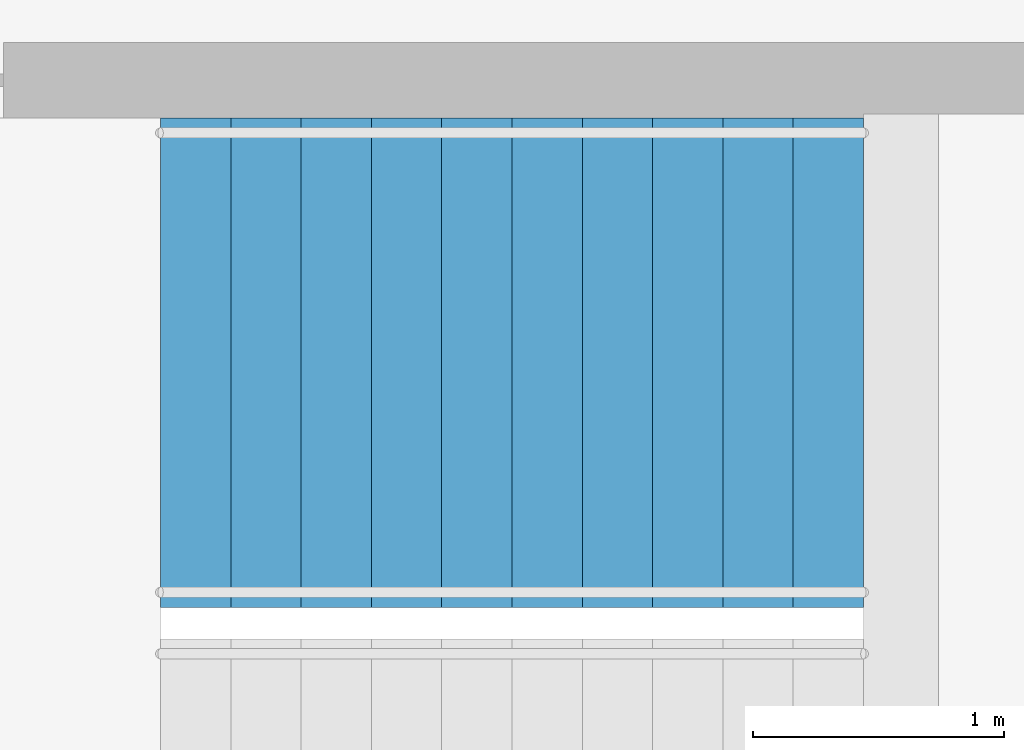
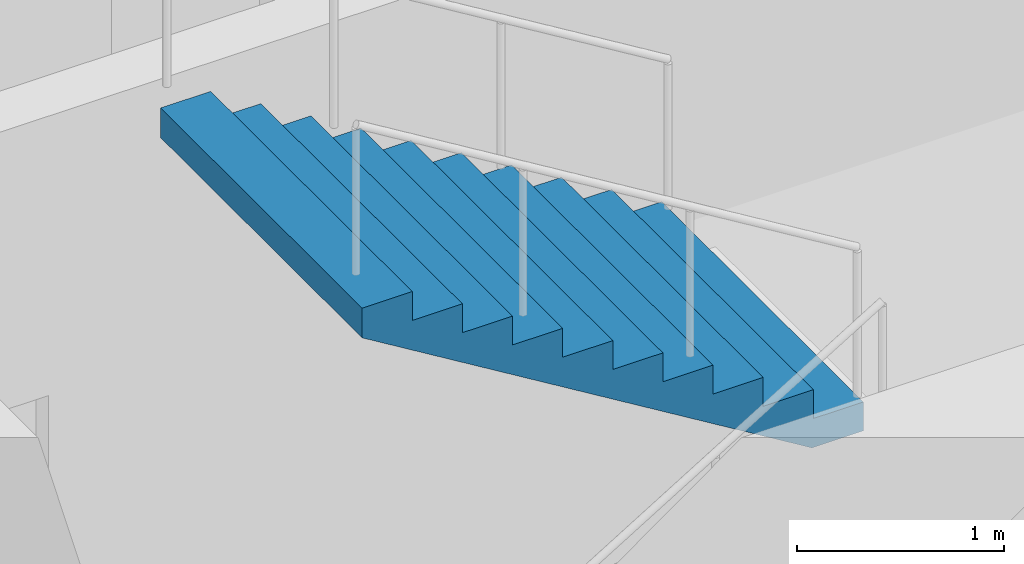
# One storey, part 19 of 22: 1 stair flight, 1 element without a shape of its own.
"""IFC4 building model written with IfcOpenShell, lengths in metres."""

from ifc_helpers import new_model, si_unit, direction, frame, origin, place, context, subcontext, project, spatial, triangles, material, type_object, element, aggregate, save


model = new_model("IFC4")

# Units and contexts
model_context = context("Model", 3, precision=1e-05, world=origin(), true_north=direction((0.0, 1.0)))
body_context = subcontext(model_context, "Body", "Model", "MODEL_VIEW")
ifc_project = project(units=[si_unit("LENGTHUNIT", "METRE"), si_unit("AREAUNIT", "SQUARE_METRE"), si_unit("VOLUMEUNIT", "CUBIC_METRE"), si_unit("PLANEANGLEUNIT", "RADIAN"), si_unit("MASSUNIT", "GRAM", prefix="KILO")], contexts=[model_context])

# Site, building, storey
site_placement = place(None, origin())
site = spatial("IfcSite", under=ifc_project, at=site_placement, CompositionType="ELEMENT")
building_placement = place(site_placement, origin())
building = spatial("IfcBuilding", under=site, at=building_placement, Name="Orbita Commons", CompositionType="ELEMENT")
storey_placement = place(building_placement, frame((0.0, 0.0, 167.35009765625)))
storey = spatial("IfcBuildingStorey", under=building, at=storey_placement, Name="L41", CompositionType="ELEMENT", Elevation=167.35009765625)

# Stair, stair flight
ifc_material_1 = material(Name="Precast concrete C40/50", Category="concrete")
stair_type = type_object("IfcStairType", Name="Exit stair S1 2 flights 11 risers 170", PredefinedType="HALF_TURN_STAIR", material=ifc_material_1)
stair_placement = place(storey_placement, origin())
stair = element("IfcStair", 1, at=stair_placement, inside=storey, type_object=stair_type, Name="Exit stair S1 L41", PredefinedType="HALF_TURN_STAIR")
ifc_material_2 = material(Name="Precast concrete C40/50", Category="concrete")
stair_flight_type = type_object("IfcStairFlightType", Name="Stair flight 11 risers 170 x 280", PredefinedType="STRAIGHT", material=ifc_material_2)
stair_flight_placement = place(storey_placement, frame((23.25, 29.27490234375, 1.875), z_axis=(0.0, 0.0, 1.0), x_axis=(-1.0, 0.0, 0.0)))
stair_flight = element("IfcStairFlight", 2, at=stair_flight_placement, type_object=stair_flight_type, Name="S1 flight 2", NumberOfRisers=11, NumberOfTreads=10, PredefinedType="STRAIGHT", RiserHeight=0.170454545, TreadLength=0.28, context=body_context, shape_type="Tessellation", body=[
    triangles([(0.0, 0.974976, 0.0), (0.0, 0.974976, 0.021307), (0.0, 0.81248, 0.021307), (0.0, 0.81248, 0.0), (0.0, 0.649984, 0.021307), (0.0, 0.649984, 0.0), (0.0, 0.487488, 0.021307), (0.0, 0.487488, 0.0), (0.0, 0.324992, 0.021307), (0.0, 0.324992, 0.0), (0.0, 0.162496, 0.021307), (0.0, 0.162496, 0.0), (0.0, 0.0, 0.021307), (0.0, 0.0, 0.0), (0.0, -0.162496, 0.021307), (0.0, -0.162496, 0.0), (0.0, -0.324992, 0.021307), (0.0, -0.324992, 0.0), (0.0, -0.487488, 0.021307), (0.0, -0.487488, 0.0), (0.0, -0.649984, 0.021307), (0.0, -0.649984, 0.0), (0.0, -0.81248, 0.021307), (0.0, -0.81248, 0.0), (0.0, -0.974976, 0.021307), (0.0, -0.974976, 0.0), (0.0, 0.974976, 0.042614), (0.0, 0.81248, 0.042614), (0.0, 0.649984, 0.042614), (0.0, 0.487488, 0.042614), (0.0, 0.324992, 0.042614), (0.0, 0.162496, 0.042614), (0.0, 0.0, 0.042614), (0.0, -0.162496, 0.042614), (0.0, -0.324992, 0.042614), (0.0, -0.487488, 0.042614), (0.0, -0.649984, 0.042614), (0.0, -0.81248, 0.042614), (0.0, -0.974976, 0.042614), (0.0, 0.974976, 0.06392), (0.0, 0.81248, 0.06392), (0.0, 0.649984, 0.06392), (0.0, 0.487488, 0.06392), (0.0, 0.324992, 0.06392), (0.0, 0.162496, 0.06392), (0.0, 0.0, 0.06392), (0.0, -0.162496, 0.06392), (0.0, -0.324992, 0.06392), (0.0, -0.487488, 0.06392), (0.0, -0.649984, 0.06392), (0.0, -0.81248, 0.06392), (0.0, -0.974976, 0.06392), (0.0, 0.974976, 0.085227), (0.0, 0.81248, 0.085227), (0.0, 0.649984, 0.085227), (0.0, 0.487488, 0.085227), (0.0, 0.324992, 0.085227), (0.0, 0.162496, 0.085227), (0.0, 0.0, 0.085227), (0.0, -0.162496, 0.085227), (0.0, -0.324992, 0.085227), (0.0, -0.487488, 0.085227), (0.0, -0.649984, 0.085227), (0.0, -0.81248, 0.085227), (0.0, -0.974976, 0.085227), (0.0, 0.974976, 0.106534), (0.0, 0.81248, 0.106534), (0.0, 0.649984, 0.106534), (0.0, 0.487488, 0.106534), (0.0, 0.324992, 0.106534), (0.0, 0.162496, 0.106534), (0.0, 0.0, 0.106534), (0.0, -0.162496, 0.106534), (0.0, -0.324992, 0.106534), (0.0, -0.487488, 0.106534), (0.0, -0.649984, 0.106534), (0.0, -0.81248, 0.106534), (0.0, -0.974976, 0.106534), (0.0, 0.974976, 0.127841), (0.0, 0.81248, 0.127841), (0.0, 0.649984, 0.127841), (0.0, 0.487488, 0.127841), (0.0, 0.324992, 0.127841), (0.0, 0.162496, 0.127841), (0.0, 0.0, 0.127841), (0.0, -0.162496, 0.127841), (0.0, -0.324992, 0.127841), (0.0, -0.487488, 0.127841), (0.0, -0.649984, 0.127841), (0.0, -0.81248, 0.127841), (0.0, -0.974976, 0.127841), (0.0, 0.974976, 0.149148), (0.0, 0.81248, 0.149148), (0.0, 0.649984, 0.149148), (0.0, 0.487488, 0.149148), (0.0, 0.324992, 0.149148), (0.0, 0.162496, 0.149148), (0.0, 0.0, 0.149148), (0.0, -0.162496, 0.149148), (0.0, -0.324992, 0.149148), (0.0, -0.487488, 0.149148), (0.0, -0.649984, 0.149148), (0.0, -0.81248, 0.149148), (0.0, -0.974976, 0.149148), (0.0, 0.974976, 0.170455), (0.0, 0.81248, 0.170455), (0.0, 0.649984, 0.170455), (0.0, 0.487488, 0.170455), (0.0, 0.324992, 0.170455), (0.0, 0.162496, 0.170455), (0.0, 0.0, 0.170455), (0.0, -0.162496, 0.170455), (0.0, -0.324992, 0.170455), (0.0, -0.487488, 0.170455), (0.0, -0.649984, 0.170455), (0.0, -0.81248, 0.170455), (0.0, -0.974976, 0.170455), (0.28, 0.974976, 0.170455), (0.28, 0.81248, 0.170455), (0.28, 0.649984, 0.170455), (0.28, 0.487488, 0.170455), (0.28, 0.324992, 0.170455), (0.28, 0.162496, 0.170455), (0.28, 0.0, 0.170455), (0.28, -0.162496, 0.170455), (0.28, -0.324992, 0.170455), (0.28, -0.487488, 0.170455), (0.28, -0.649984, 0.170455), (0.28, -0.81248, 0.170455), (0.28, -0.974976, 0.170455), (0.28, 0.974976, 0.340909), (0.28, 0.81248, 0.340909), (0.28, 0.649984, 0.340909), (0.28, 0.487488, 0.340909), (0.28, 0.324992, 0.340909), (0.28, 0.162496, 0.340909), (0.28, 0.0, 0.340909), (0.28, -0.162496, 0.340909), (0.28, -0.324992, 0.340909), (0.28, -0.487488, 0.340909), (0.28, -0.649984, 0.340909), (0.28, -0.81248, 0.340909), (0.28, -0.974976, 0.340909), (0.56, 0.974976, 0.340909), (0.56, 0.81248, 0.340909), (0.56, 0.649984, 0.340909), (0.56, 0.487488, 0.340909), (0.56, 0.324992, 0.340909), (0.56, 0.162496, 0.340909), (0.56, 0.0, 0.340909), (0.56, -0.162496, 0.340909), (0.56, -0.324992, 0.340909), (0.56, -0.487488, 0.340909), (0.56, -0.649984, 0.340909), (0.56, -0.81248, 0.340909), (0.56, -0.974976, 0.340909), (0.56, 0.974976, 0.511364), (0.56, 0.81248, 0.511364), (0.56, 0.649984, 0.511364), (0.56, 0.487488, 0.511364), (0.56, 0.324992, 0.511364), (0.56, 0.162496, 0.511364), (0.56, 0.0, 0.511364), (0.56, -0.162496, 0.511364), (0.56, -0.324992, 0.511364), (0.56, -0.487488, 0.511364), (0.56, -0.649984, 0.511364), (0.56, -0.81248, 0.511364), (0.56, -0.974976, 0.511364), (0.84, 0.974976, 0.511364), (0.84, 0.81248, 0.511364), (0.84, 0.649984, 0.511364), (0.84, 0.487488, 0.511364), (0.84, 0.324992, 0.511364), (0.84, 0.162496, 0.511364), (0.84, 0.0, 0.511364), (0.84, -0.162496, 0.511364), (0.84, -0.324992, 0.511364), (0.84, -0.487488, 0.511364), (0.84, -0.649984, 0.511364), (0.84, -0.81248, 0.511364), (0.84, -0.974976, 0.511364), (0.84, 0.974976, 0.681818), (0.84, 0.81248, 0.681818), (0.84, 0.649984, 0.681818), (0.84, 0.487488, 0.681818), (0.84, 0.324992, 0.681818), (0.84, 0.162496, 0.681818), (0.84, 0.0, 0.681818), (0.84, -0.162496, 0.681818), (0.84, -0.324992, 0.681818), (0.84, -0.487488, 0.681818), (0.84, -0.649984, 0.681818), (0.84, -0.81248, 0.681818), (0.84, -0.974976, 0.681818), (1.12, 0.974976, 0.681818), (1.12, 0.81248, 0.681818), (1.12, 0.649984, 0.681818), (1.12, 0.487488, 0.681818), (1.12, 0.324992, 0.681818), (1.12, 0.162496, 0.681818), (1.12, 0.0, 0.681818), (1.12, -0.162496, 0.681818), (1.12, -0.324992, 0.681818), (1.12, -0.487488, 0.681818), (1.12, -0.649984, 0.681818), (1.12, -0.81248, 0.681818), (1.12, -0.974976, 0.681818), (1.12, 0.974976, 0.852273), (1.12, 0.81248, 0.852273), (1.12, 0.649984, 0.852273), (1.12, 0.487488, 0.852273), (1.12, 0.324992, 0.852273), (1.12, 0.162496, 0.852273), (1.12, 0.0, 0.852273), (1.12, -0.162496, 0.852273), (1.12, -0.324992, 0.852273), (1.12, -0.487488, 0.852273), (1.12, -0.649984, 0.852273), (1.12, -0.81248, 0.852273), (1.12, -0.974976, 0.852273), (1.4, 0.974976, 0.852273), (1.4, 0.81248, 0.852273), (1.4, 0.649984, 0.852273), (1.4, 0.487488, 0.852273), (1.4, 0.324992, 0.852273), (1.4, 0.162496, 0.852273), (1.4, 0.0, 0.852273), (1.4, -0.162496, 0.852273), (1.4, -0.324992, 0.852273), (1.4, -0.487488, 0.852273), (1.4, -0.649984, 0.852273), (1.4, -0.81248, 0.852273), (1.4, -0.974976, 0.852273), (1.4, 0.974976, 1.022727), (1.4, 0.81248, 1.022727), (1.4, 0.649984, 1.022727), (1.4, 0.487488, 1.022727), (1.4, 0.324992, 1.022727), (1.4, 0.162496, 1.022727), (1.4, 0.0, 1.022727), (1.4, -0.162496, 1.022727), (1.4, -0.324992, 1.022727), (1.4, -0.487488, 1.022727), (1.4, -0.649984, 1.022727), (1.4, -0.81248, 1.022727), (1.4, -0.974976, 1.022727), (1.68, 0.974976, 1.022727), (1.68, 0.81248, 1.022727), (1.68, 0.649984, 1.022727), (1.68, 0.487488, 1.022727), (1.68, 0.324992, 1.022727), (1.68, 0.162496, 1.022727), (1.68, 0.0, 1.022727), (1.68, -0.162496, 1.022727), (1.68, -0.324992, 1.022727), (1.68, -0.487488, 1.022727), (1.68, -0.649984, 1.022727), (1.68, -0.81248, 1.022727), (1.68, -0.974976, 1.022727), (1.68, 0.974976, 1.193182), (1.68, 0.81248, 1.193182), (1.68, 0.649984, 1.193182), (1.68, 0.487488, 1.193182), (1.68, 0.324992, 1.193182), (1.68, 0.162496, 1.193182), (1.68, 0.0, 1.193182), (1.68, -0.162496, 1.193182), (1.68, -0.324992, 1.193182), (1.68, -0.487488, 1.193182), (1.68, -0.649984, 1.193182), (1.68, -0.81248, 1.193182), (1.68, -0.974976, 1.193182), (1.96, 0.974976, 1.193182), (1.96, 0.81248, 1.193182), (1.96, 0.649984, 1.193182), (1.96, 0.487488, 1.193182), (1.96, 0.324992, 1.193182), (1.96, 0.162496, 1.193182), (1.96, 0.0, 1.193182), (1.96, -0.162496, 1.193182), (1.96, -0.324992, 1.193182), (1.96, -0.487488, 1.193182), (1.96, -0.649984, 1.193182), (1.96, -0.81248, 1.193182), (1.96, -0.974976, 1.193182), (1.96, 0.974976, 1.363636), (1.96, 0.81248, 1.363636), (1.96, 0.649984, 1.363636), (1.96, 0.487488, 1.363636), (1.96, 0.324992, 1.363636), (1.96, 0.162496, 1.363636), (1.96, 0.0, 1.363636), (1.96, -0.162496, 1.363636), (1.96, -0.324992, 1.363636), (1.96, -0.487488, 1.363636), (1.96, -0.649984, 1.363636), (1.96, -0.81248, 1.363636), (1.96, -0.974976, 1.363636), (2.24, 0.974976, 1.363636), (2.24, 0.81248, 1.363636), (2.24, 0.649984, 1.363636), (2.24, 0.487488, 1.363636), (2.24, 0.324992, 1.363636), (2.24, 0.162496, 1.363636), (2.24, 0.0, 1.363636), (2.24, -0.162496, 1.363636), (2.24, -0.324992, 1.363636), (2.24, -0.487488, 1.363636), (2.24, -0.649984, 1.363636), (2.24, -0.81248, 1.363636), (2.24, -0.974976, 1.363636), (2.24, 0.974976, 1.534091), (2.24, 0.81248, 1.534091), (2.24, 0.649984, 1.534091), (2.24, 0.487488, 1.534091), (2.24, 0.324992, 1.534091), (2.24, 0.162496, 1.534091), (2.24, 0.0, 1.534091), (2.24, -0.162496, 1.534091), (2.24, -0.324992, 1.534091), (2.24, -0.487488, 1.534091), (2.24, -0.649984, 1.534091), (2.24, -0.81248, 1.534091), (2.24, -0.974976, 1.534091), (2.52, 0.974976, 1.534091), (2.52, 0.81248, 1.534091), (2.52, 0.649984, 1.534091), (2.52, 0.487488, 1.534091), (2.52, 0.324992, 1.534091), (2.52, 0.162496, 1.534091), (2.52, 0.0, 1.534091), (2.52, -0.162496, 1.534091), (2.52, -0.324992, 1.534091), (2.52, -0.487488, 1.534091), (2.52, -0.649984, 1.534091), (2.52, -0.81248, 1.534091), (2.52, -0.974976, 1.534091), (2.52, 0.974976, 1.704545), (2.52, 0.81248, 1.704545), (2.52, 0.649984, 1.704545), (2.52, 0.487488, 1.704545), (2.52, 0.324992, 1.704545), (2.52, 0.162496, 1.704545), (2.52, 0.0, 1.704545), (2.52, -0.162496, 1.704545), (2.52, -0.324992, 1.704545), (2.52, -0.487488, 1.704545), (2.52, -0.649984, 1.704545), (2.52, -0.81248, 1.704545), (2.52, -0.974976, 1.704545), (2.8, 0.974976, 1.704545), (2.8, 0.81248, 1.704545), (2.8, 0.649984, 1.704545), (2.8, 0.487488, 1.704545), (2.8, 0.324992, 1.704545), (2.8, 0.162496, 1.704545), (2.8, 0.0, 1.704545), (2.8, -0.162496, 1.704545), (2.8, -0.324992, 1.704545), (2.8, -0.487488, 1.704545), (2.8, -0.649984, 1.704545), (2.8, -0.81248, 1.704545), (2.8, -0.974976, 1.704545), (2.8, 0.974976, 1.682609), (2.8, 0.81248, 1.682609), (2.8, 0.649984, 1.682609), (2.8, 0.487488, 1.682609), (2.8, 0.324992, 1.682609), (2.8, 0.162496, 1.682609), (2.8, 0.0, 1.682609), (2.8, -0.162496, 1.682609), (2.8, -0.324992, 1.682609), (2.8, -0.487488, 1.682609), (2.8, -0.649984, 1.682609), (2.8, -0.81248, 1.682609), (2.8, -0.974976, 1.682609), (2.8, 0.974976, 1.660672), (2.8, 0.81248, 1.660672), (2.8, 0.649984, 1.660672), (2.8, 0.487488, 1.660672), (2.8, 0.324992, 1.660672), (2.8, 0.162496, 1.660672), (2.8, 0.0, 1.660672), (2.8, -0.162496, 1.660672), (2.8, -0.324992, 1.660672), (2.8, -0.487488, 1.660672), (2.8, -0.649984, 1.660672), (2.8, -0.81248, 1.660672), (2.8, -0.974976, 1.660672), (2.8, 0.974976, 1.638735), (2.8, 0.81248, 1.638735), (2.8, 0.649984, 1.638735), (2.8, 0.487488, 1.638735), (2.8, 0.324992, 1.638735), (2.8, 0.162496, 1.638735), (2.8, 0.0, 1.638735), (2.8, -0.162496, 1.638735), (2.8, -0.324992, 1.638735), (2.8, -0.487488, 1.638735), (2.8, -0.649984, 1.638735), (2.8, -0.81248, 1.638735), (2.8, -0.974976, 1.638735), (2.8, 0.974976, 1.616798), (2.8, 0.81248, 1.616798), (2.8, 0.649984, 1.616798), (2.8, 0.487488, 1.616798), (2.8, 0.324992, 1.616798), (2.8, 0.162496, 1.616798), (2.8, 0.0, 1.616798), (2.8, -0.162496, 1.616798), (2.8, -0.324992, 1.616798), (2.8, -0.487488, 1.616798), (2.8, -0.649984, 1.616798), (2.8, -0.81248, 1.616798), (2.8, -0.974976, 1.616798), (2.8, 0.974976, 1.594861), (2.8, 0.81248, 1.594861), (2.8, 0.649984, 1.594861), (2.8, 0.487488, 1.594861), (2.8, 0.324992, 1.594861), (2.8, 0.162496, 1.594861), (2.8, 0.0, 1.594861), (2.8, -0.162496, 1.594861), (2.8, -0.324992, 1.594861), (2.8, -0.487488, 1.594861), (2.8, -0.649984, 1.594861), (2.8, -0.81248, 1.594861), (2.8, -0.974976, 1.594861), (2.8, 0.974976, 1.572925), (2.8, 0.81248, 1.572925), (2.8, 0.649984, 1.572925), (2.8, 0.487488, 1.572925), (2.8, 0.324992, 1.572925), (2.8, 0.162496, 1.572925), (2.8, 0.0, 1.572925), (2.8, -0.162496, 1.572925), (2.8, -0.324992, 1.572925), (2.8, -0.487488, 1.572925), (2.8, -0.649984, 1.572925), (2.8, -0.81248, 1.572925), (2.8, -0.974976, 1.572925), (2.8, 0.974976, 1.550988), (2.8, 0.81248, 1.550988), (2.8, 0.649984, 1.550988), (2.8, 0.487488, 1.550988), (2.8, 0.324992, 1.550988), (2.8, 0.162496, 1.550988), (2.8, 0.0, 1.550988), (2.8, -0.162496, 1.550988), (2.8, -0.324992, 1.550988), (2.8, -0.487488, 1.550988), (2.8, -0.649984, 1.550988), (2.8, -0.81248, 1.550988), (2.8, -0.974976, 1.550988), (2.8, 0.974976, 1.529051), (2.8, 0.81248, 1.529051), (2.8, 0.649984, 1.529051), (2.8, 0.487488, 1.529051), (2.8, 0.324992, 1.529051), (2.8, 0.162496, 1.529051), (2.8, 0.0, 1.529051), (2.8, -0.162496, 1.529051), (2.8, -0.324992, 1.529051), (2.8, -0.487488, 1.529051), (2.8, -0.649984, 1.529051), (2.8, -0.81248, 1.529051), (2.8, -0.974976, 1.529051), (0.288279, 0.974976, 0.0), (0.288279, 0.81248, 0.0), (0.288279, 0.649984, 0.0), (0.288279, 0.487488, 0.0), (0.288279, 0.324992, 0.0), (0.288279, 0.162496, 0.0), (0.288279, 0.0, 0.0), (0.288279, -0.162496, 0.0), (0.288279, -0.324992, 0.0), (0.288279, -0.487488, 0.0), (0.288279, -0.649984, 0.0), (0.288279, -0.81248, 0.0), (0.288279, -0.974976, 0.0)], [[3, 2, 1], [4, 3, 1], [5, 3, 4], [6, 5, 4], [7, 5, 6], [8, 7, 6], [9, 7, 8], [10, 9, 8], [11, 9, 10], [12, 11, 10], [13, 11, 12], [14, 13, 12], [15, 13, 14], [16, 15, 14], [17, 15, 16], [18, 17, 16], [19, 17, 18], [20, 19, 18], [21, 19, 20], [22, 21, 20], [23, 21, 22], [24, 23, 22], [25, 23, 24], [26, 25, 24], [28, 27, 2], [3, 28, 2], [29, 28, 3], [5, 29, 3], [30, 29, 5], [7, 30, 5], [31, 30, 7], [9, 31, 7], [32, 31, 9], [11, 32, 9], [33, 32, 11], [13, 33, 11], [34, 33, 13], [15, 34, 13], [35, 34, 15], [17, 35, 15], [36, 35, 17], [19, 36, 17], [37, 36, 19], [21, 37, 19], [38, 37, 21], [23, 38, 21], [39, 38, 23], [25, 39, 23], [41, 40, 27], [28, 41, 27], [42, 41, 28], [29, 42, 28], [43, 42, 29], [30, 43, 29], [44, 43, 30], [31, 44, 30], [45, 44, 31], [32, 45, 31], [46, 45, 32], [33, 46, 32], [47, 46, 33], [34, 47, 33], [48, 47, 34], [35, 48, 34], [49, 48, 35], [36, 49, 35], [50, 49, 36], [37, 50, 36], [51, 50, 37], [38, 51, 37], [52, 51, 38], [39, 52, 38], [54, 53, 40], [41, 54, 40], [55, 54, 41], [42, 55, 41], [56, 55, 42], [43, 56, 42], [57, 56, 43], [44, 57, 43], [58, 57, 44], [45, 58, 44], [59, 58, 45], [46, 59, 45], [60, 59, 46], [47, 60, 46], [61, 60, 47], [48, 61, 47], [62, 61, 48], [49, 62, 48], [63, 62, 49], [50, 63, 49], [64, 63, 50], [51, 64, 50], [65, 64, 51], [52, 65, 51], [67, 66, 53], [54, 67, 53], [68, 67, 54], [55, 68, 54], [69, 68, 55], [56, 69, 55], [70, 69, 56], [57, 70, 56], [71, 70, 57], [58, 71, 57], [72, 71, 58], [59, 72, 58], [73, 72, 59], [60, 73, 59], [74, 73, 60], [61, 74, 60], [75, 74, 61], [62, 75, 61], [76, 75, 62], [63, 76, 62], [77, 76, 63], [64, 77, 63], [78, 77, 64], [65, 78, 64], [80, 79, 66], [67, 80, 66], [81, 80, 67], [68, 81, 67], [82, 81, 68], [69, 82, 68], [83, 82, 69], [70, 83, 69], [84, 83, 70], [71, 84, 70], [85, 84, 71], [72, 85, 71], [86, 85, 72], [73, 86, 72], [87, 86, 73], [74, 87, 73], [88, 87, 74], [75, 88, 74], [89, 88, 75], [76, 89, 75], [90, 89, 76], [77, 90, 76], [91, 90, 77], [78, 91, 77], [93, 92, 79], [80, 93, 79], [94, 93, 80], [81, 94, 80], [95, 94, 81], [82, 95, 81], [96, 95, 82], [83, 96, 82], [97, 96, 83], [84, 97, 83], [98, 97, 84], [85, 98, 84], [99, 98, 85], [86, 99, 85], [100, 99, 86], [87, 100, 86], [101, 100, 87], [88, 101, 87], [102, 101, 88], [89, 102, 88], [103, 102, 89], [90, 103, 89], [104, 103, 90], [91, 104, 90], [106, 105, 92], [93, 106, 92], [107, 106, 93], [94, 107, 93], [108, 107, 94], [95, 108, 94], [109, 108, 95], [96, 109, 95], [110, 109, 96], [97, 110, 96], [111, 110, 97], [98, 111, 97], [112, 111, 98], [99, 112, 98], [113, 112, 99], [100, 113, 99], [114, 113, 100], [101, 114, 100], [115, 114, 101], [102, 115, 101], [116, 115, 102], [103, 116, 102], [117, 116, 103], [104, 117, 103], [119, 118, 105], [106, 119, 105], [120, 119, 106], [107, 120, 106], [121, 120, 107], [108, 121, 107], [122, 121, 108], [109, 122, 108], [123, 122, 109], [110, 123, 109], [124, 123, 110], [111, 124, 110], [125, 124, 111], [112, 125, 111], [126, 125, 112], [113, 126, 112], [127, 126, 113], [114, 127, 113], [128, 127, 114], [115, 128, 114], [129, 128, 115], [116, 129, 115], [130, 129, 116], [117, 130, 116], [132, 131, 118], [119, 132, 118], [133, 132, 119], [120, 133, 119], [134, 133, 120], [121, 134, 120], [135, 134, 121], [122, 135, 121], [136, 135, 122], [123, 136, 122], [137, 136, 123], [124, 137, 123], [138, 137, 124], [125, 138, 124], [139, 138, 125], [126, 139, 125], [140, 139, 126], [127, 140, 126], [141, 140, 127], [128, 141, 127], [142, 141, 128], [129, 142, 128], [143, 142, 129], [130, 143, 129], [145, 144, 131], [132, 145, 131], [146, 145, 132], [133, 146, 132], [147, 146, 133], [134, 147, 133], [148, 147, 134], [135, 148, 134], [149, 148, 135], [136, 149, 135], [150, 149, 136], [137, 150, 136], [151, 150, 137], [138, 151, 137], [152, 151, 138], [139, 152, 138], [153, 152, 139], [140, 153, 139], [154, 153, 140], [141, 154, 140], [155, 154, 141], [142, 155, 141], [156, 155, 142], [143, 156, 142], [158, 157, 144], [145, 158, 144], [159, 158, 145], [146, 159, 145], [160, 159, 146], [147, 160, 146], [161, 160, 147], [148, 161, 147], [162, 161, 148], [149, 162, 148], [163, 162, 149], [150, 163, 149], [164, 163, 150], [151, 164, 150], [165, 164, 151], [152, 165, 151], [166, 165, 152], [153, 166, 152], [167, 166, 153], [154, 167, 153], [168, 167, 154], [155, 168, 154], [169, 168, 155], [156, 169, 155], [171, 170, 157], [158, 171, 157], [172, 171, 158], [159, 172, 158], [173, 172, 159], [160, 173, 159], [174, 173, 160], [161, 174, 160], [175, 174, 161], [162, 175, 161], [176, 175, 162], [163, 176, 162], [177, 176, 163], [164, 177, 163], [178, 177, 164], [165, 178, 164], [179, 178, 165], [166, 179, 165], [180, 179, 166], [167, 180, 166], [181, 180, 167], [168, 181, 167], [182, 181, 168], [169, 182, 168], [184, 183, 170], [171, 184, 170], [185, 184, 171], [172, 185, 171], [186, 185, 172], [173, 186, 172], [187, 186, 173], [174, 187, 173], [188, 187, 174], [175, 188, 174], [189, 188, 175], [176, 189, 175], [190, 189, 176], [177, 190, 176], [191, 190, 177], [178, 191, 177], [192, 191, 178], [179, 192, 178], [193, 192, 179], [180, 193, 179], [194, 193, 180], [181, 194, 180], [195, 194, 181], [182, 195, 181], [197, 196, 183], [184, 197, 183], [198, 197, 184], [185, 198, 184], [199, 198, 185], [186, 199, 185], [200, 199, 186], [187, 200, 186], [201, 200, 187], [188, 201, 187], [202, 201, 188], [189, 202, 188], [203, 202, 189], [190, 203, 189], [204, 203, 190], [191, 204, 190], [205, 204, 191], [192, 205, 191], [206, 205, 192], [193, 206, 192], [207, 206, 193], [194, 207, 193], [208, 207, 194], [195, 208, 194], [210, 209, 196], [197, 210, 196], [211, 210, 197], [198, 211, 197], [212, 211, 198], [199, 212, 198], [213, 212, 199], [200, 213, 199], [214, 213, 200], [201, 214, 200], [215, 214, 201], [202, 215, 201], [216, 215, 202], [203, 216, 202], [217, 216, 203], [204, 217, 203], [218, 217, 204], [205, 218, 204], [219, 218, 205], [206, 219, 205], [220, 219, 206], [207, 220, 206], [221, 220, 207], [208, 221, 207], [223, 222, 209], [210, 223, 209], [224, 223, 210], [211, 224, 210], [225, 224, 211], [212, 225, 211], [226, 225, 212], [213, 226, 212], [227, 226, 213], [214, 227, 213], [228, 227, 214], [215, 228, 214], [229, 228, 215], [216, 229, 215], [230, 229, 216], [217, 230, 216], [231, 230, 217], [218, 231, 217], [232, 231, 218], [219, 232, 218], [233, 232, 219], [220, 233, 219], [234, 233, 220], [221, 234, 220], [236, 235, 222], [223, 236, 222], [237, 236, 223], [224, 237, 223], [238, 237, 224], [225, 238, 224], [239, 238, 225], [226, 239, 225], [240, 239, 226], [227, 240, 226], [241, 240, 227], [228, 241, 227], [242, 241, 228], [229, 242, 228], [243, 242, 229], [230, 243, 229], [244, 243, 230], [231, 244, 230], [245, 244, 231], [232, 245, 231], [246, 245, 232], [233, 246, 232], [247, 246, 233], [234, 247, 233], [249, 248, 235], [236, 249, 235], [250, 249, 236], [237, 250, 236], [251, 250, 237], [238, 251, 237], [252, 251, 238], [239, 252, 238], [253, 252, 239], [240, 253, 239], [254, 253, 240], [241, 254, 240], [255, 254, 241], [242, 255, 241], [256, 255, 242], [243, 256, 242], [257, 256, 243], [244, 257, 243], [258, 257, 244], [245, 258, 244], [259, 258, 245], [246, 259, 245], [260, 259, 246], [247, 260, 246], [262, 261, 248], [249, 262, 248], [263, 262, 249], [250, 263, 249], [264, 263, 250], [251, 264, 250], [265, 264, 251], [252, 265, 251], [266, 265, 252], [253, 266, 252], [267, 266, 253], [254, 267, 253], [268, 267, 254], [255, 268, 254], [269, 268, 255], [256, 269, 255], [270, 269, 256], [257, 270, 256], [271, 270, 257], [258, 271, 257], [272, 271, 258], [259, 272, 258], [273, 272, 259], [260, 273, 259], [275, 274, 261], [262, 275, 261], [276, 275, 262], [263, 276, 262], [277, 276, 263], [264, 277, 263], [278, 277, 264], [265, 278, 264], [279, 278, 265], [266, 279, 265], [280, 279, 266], [267, 280, 266], [281, 280, 267], [268, 281, 267], [282, 281, 268], [269, 282, 268], [283, 282, 269], [270, 283, 269], [284, 283, 270], [271, 284, 270], [285, 284, 271], [272, 285, 271], [286, 285, 272], [273, 286, 272], [288, 287, 274], [275, 288, 274], [289, 288, 275], [276, 289, 275], [290, 289, 276], [277, 290, 276], [291, 290, 277], [278, 291, 277], [292, 291, 278], [279, 292, 278], [293, 292, 279], [280, 293, 279], [294, 293, 280], [281, 294, 280], [295, 294, 281], [282, 295, 281], [296, 295, 282], [283, 296, 282], [297, 296, 283], [284, 297, 283], [298, 297, 284], [285, 298, 284], [299, 298, 285], [286, 299, 285], [301, 300, 287], [288, 301, 287], [302, 301, 288], [289, 302, 288], [303, 302, 289], [290, 303, 289], [304, 303, 290], [291, 304, 290], [305, 304, 291], [292, 305, 291], [306, 305, 292], [293, 306, 292], [307, 306, 293], [294, 307, 293], [308, 307, 294], [295, 308, 294], [309, 308, 295], [296, 309, 295], [310, 309, 296], [297, 310, 296], [311, 310, 297], [298, 311, 297], [312, 311, 298], [299, 312, 298], [314, 313, 300], [301, 314, 300], [315, 314, 301], [302, 315, 301], [316, 315, 302], [303, 316, 302], [317, 316, 303], [304, 317, 303], [318, 317, 304], [305, 318, 304], [319, 318, 305], [306, 319, 305], [320, 319, 306], [307, 320, 306], [321, 320, 307], [308, 321, 307], [322, 321, 308], [309, 322, 308], [323, 322, 309], [310, 323, 309], [324, 323, 310], [311, 324, 310], [325, 324, 311], [312, 325, 311], [327, 326, 313], [314, 327, 313], [328, 327, 314], [315, 328, 314], [329, 328, 315], [316, 329, 315], [330, 329, 316], [317, 330, 316], [331, 330, 317], [318, 331, 317], [332, 331, 318], [319, 332, 318], [333, 332, 319], [320, 333, 319], [334, 333, 320], [321, 334, 320], [335, 334, 321], [322, 335, 321], [336, 335, 322], [323, 336, 322], [337, 336, 323], [324, 337, 323], [338, 337, 324], [325, 338, 324], [340, 339, 326], [327, 340, 326], [341, 340, 327], [328, 341, 327], [342, 341, 328], [329, 342, 328], [343, 342, 329], [330, 343, 329], [344, 343, 330], [331, 344, 330], [345, 344, 331], [332, 345, 331], [346, 345, 332], [333, 346, 332], [347, 346, 333], [334, 347, 333], [348, 347, 334], [335, 348, 334], [349, 348, 335], [336, 349, 335], [350, 349, 336], [337, 350, 336], [351, 350, 337], [338, 351, 337], [353, 352, 339], [340, 353, 339], [354, 353, 340], [341, 354, 340], [355, 354, 341], [342, 355, 341], [356, 355, 342], [343, 356, 342], [357, 356, 343], [344, 357, 343], [358, 357, 344], [345, 358, 344], [359, 358, 345], [346, 359, 345], [360, 359, 346], [347, 360, 346], [361, 360, 347], [348, 361, 347], [362, 361, 348], [349, 362, 348], [363, 362, 349], [350, 363, 349], [364, 363, 350], [351, 364, 350], [366, 365, 352], [353, 366, 352], [367, 366, 353], [354, 367, 353], [368, 367, 354], [355, 368, 354], [369, 368, 355], [356, 369, 355], [370, 369, 356], [357, 370, 356], [371, 370, 357], [358, 371, 357], [372, 371, 358], [359, 372, 358], [373, 372, 359], [360, 373, 359], [374, 373, 360], [361, 374, 360], [375, 374, 361], [362, 375, 361], [376, 375, 362], [363, 376, 362], [377, 376, 363], [364, 377, 363], [379, 378, 365], [366, 379, 365], [380, 379, 366], [367, 380, 366], [381, 380, 367], [368, 381, 367], [382, 381, 368], [369, 382, 368], [383, 382, 369], [370, 383, 369], [384, 383, 370], [371, 384, 370], [385, 384, 371], [372, 385, 371], [386, 385, 372], [373, 386, 372], [387, 386, 373], [374, 387, 373], [388, 387, 374], [375, 388, 374], [389, 388, 375], [376, 389, 375], [390, 389, 376], [377, 390, 376], [392, 391, 378], [379, 392, 378], [393, 392, 379], [380, 393, 379], [394, 393, 380], [381, 394, 380], [395, 394, 381], [382, 395, 381], [396, 395, 382], [383, 396, 382], [397, 396, 383], [384, 397, 383], [398, 397, 384], [385, 398, 384], [399, 398, 385], [386, 399, 385], [400, 399, 386], [387, 400, 386], [401, 400, 387], [388, 401, 387], [402, 401, 388], [389, 402, 388], [403, 402, 389], [390, 403, 389], [405, 404, 391], [392, 405, 391], [406, 405, 392], [393, 406, 392], [407, 406, 393], [394, 407, 393], [408, 407, 394], [395, 408, 394], [409, 408, 395], [396, 409, 395], [410, 409, 396], [397, 410, 396], [411, 410, 397], [398, 411, 397], [412, 411, 398], [399, 412, 398], [413, 412, 399], [400, 413, 399], [414, 413, 400], [401, 414, 400], [415, 414, 401], [402, 415, 401], [416, 415, 402], [403, 416, 402], [418, 417, 404], [405, 418, 404], [419, 418, 405], [406, 419, 405], [420, 419, 406], [407, 420, 406], [421, 420, 407], [408, 421, 407], [422, 421, 408], [409, 422, 408], [423, 422, 409], [410, 423, 409], [424, 423, 410], [411, 424, 410], [425, 424, 411], [412, 425, 411], [426, 425, 412], [413, 426, 412], [427, 426, 413], [414, 427, 413], [428, 427, 414], [415, 428, 414], [429, 428, 415], [416, 429, 415], [431, 430, 417], [418, 431, 417], [432, 431, 418], [419, 432, 418], [433, 432, 419], [420, 433, 419], [434, 433, 420], [421, 434, 420], [435, 434, 421], [422, 435, 421], [436, 435, 422], [423, 436, 422], [437, 436, 423], [424, 437, 423], [438, 437, 424], [425, 438, 424], [439, 438, 425], [426, 439, 425], [440, 439, 426], [427, 440, 426], [441, 440, 427], [428, 441, 427], [442, 441, 428], [429, 442, 428], [444, 443, 430], [431, 444, 430], [445, 444, 431], [432, 445, 431], [446, 445, 432], [433, 446, 432], [447, 446, 433], [434, 447, 433], [448, 447, 434], [435, 448, 434], [449, 448, 435], [436, 449, 435], [450, 449, 436], [437, 450, 436], [451, 450, 437], [438, 451, 437], [452, 451, 438], [439, 452, 438], [453, 452, 439], [440, 453, 439], [454, 453, 440], [441, 454, 440], [455, 454, 441], [442, 455, 441], [457, 456, 443], [444, 457, 443], [458, 457, 444], [445, 458, 444], [459, 458, 445], [446, 459, 445], [460, 459, 446], [447, 460, 446], [461, 460, 447], [448, 461, 447], [462, 461, 448], [449, 462, 448], [463, 462, 449], [450, 463, 449], [464, 463, 450], [451, 464, 450], [465, 464, 451], [452, 465, 451], [466, 465, 452], [453, 466, 452], [467, 466, 453], [454, 467, 453], [468, 467, 454], [455, 468, 454], [470, 469, 456], [457, 470, 456], [471, 470, 457], [458, 471, 457], [472, 471, 458], [459, 472, 458], [473, 472, 459], [460, 473, 459], [474, 473, 460], [461, 474, 460], [475, 474, 461], [462, 475, 461], [476, 475, 462], [463, 476, 462], [477, 476, 463], [464, 477, 463], [478, 477, 464], [465, 478, 464], [479, 478, 465], [466, 479, 465], [480, 479, 466], [467, 480, 466], [481, 480, 467], [468, 481, 467], [4, 1, 469], [470, 4, 469], [6, 4, 470], [471, 6, 470], [8, 6, 471], [472, 8, 471], [10, 8, 472], [473, 10, 472], [12, 10, 473], [474, 12, 473], [14, 12, 474], [475, 14, 474], [16, 14, 475], [476, 16, 475], [18, 16, 476], [477, 18, 476], [20, 18, 477], [478, 20, 477], [22, 20, 478], [479, 22, 478], [24, 22, 479], [480, 24, 479], [26, 24, 480], [481, 26, 480], [456, 469, 1], [26, 481, 468], [443, 456, 1], [26, 468, 455], [430, 443, 1], [26, 455, 442], [417, 430, 1], [26, 442, 429], [404, 417, 1], [26, 429, 416], [391, 404, 1], [26, 416, 403], [378, 391, 1], [26, 403, 390], [365, 378, 1], [26, 390, 377], [339, 352, 365], [377, 364, 351], [326, 339, 365], [377, 351, 338], [300, 313, 326], [338, 325, 312], [300, 326, 365], [377, 338, 312], [274, 287, 300], [312, 299, 286], [274, 300, 365], [377, 312, 286], [248, 261, 274], [286, 273, 260], [248, 274, 365], [377, 286, 260], [222, 235, 248], [260, 247, 234], [222, 248, 365], [377, 260, 234], [196, 209, 222], [234, 221, 208], [196, 222, 365], [377, 234, 208], [170, 183, 196], [208, 195, 182], [170, 196, 365], [377, 208, 182], [144, 157, 170], [182, 169, 156], [144, 170, 365], [377, 182, 156], [118, 131, 144], [156, 143, 130], [118, 144, 365], [377, 156, 130], [118, 365, 1], [26, 377, 130], [92, 105, 118], [130, 117, 104], [79, 92, 118], [130, 104, 91], [66, 79, 118], [130, 91, 78], [53, 66, 118], [130, 78, 65], [40, 53, 118], [130, 65, 52], [27, 40, 118], [130, 52, 39], [2, 27, 118], [130, 39, 25], [1, 2, 118], [130, 25, 26]], closed=True),
])
aggregate(stair, [stair_flight])

save(model, "model.ifc")
